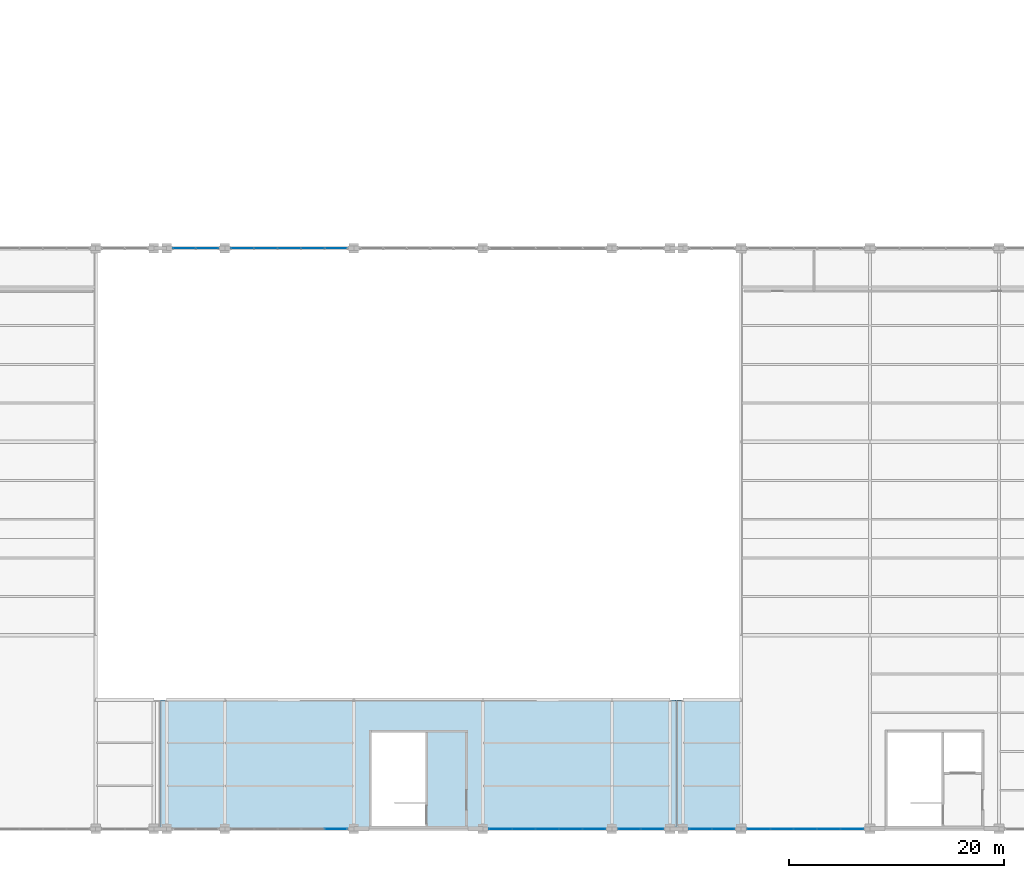
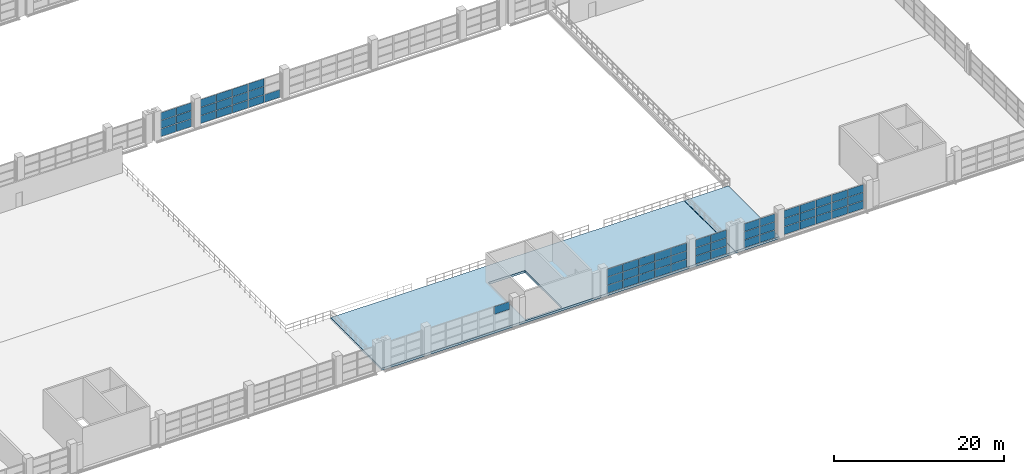
# One storey, part 130 of 158: 62 plates, 2 slabs, 7 elements without a shape of their own.
"""IFC4 building model written with IfcOpenShell, lengths in metres."""

from ifc_helpers import new_model, si_unit, direction, frame, origin, origin_2d, place, context, subcontext, project, spatial, polyline, rectangle, outline, extrude, material, layer, layer_set, type_object, element, aggregate, save


model = new_model("IFC4")

# Units and contexts
model_context = context("Model", 3, precision=1e-05, world=origin(), true_north=direction((0.0, 1.0)))
body_context = subcontext(model_context, "Body", "Model", "MODEL_VIEW")
ifc_project = project(units=[si_unit("LENGTHUNIT", "METRE"), si_unit("AREAUNIT", "SQUARE_METRE"), si_unit("VOLUMEUNIT", "CUBIC_METRE"), si_unit("PLANEANGLEUNIT", "RADIAN"), si_unit("MASSUNIT", "GRAM", prefix="KILO")], contexts=[model_context])

# Site, building, storey
site_placement = place(None, origin())
site = spatial("IfcSite", under=ifc_project, at=site_placement, CompositionType="ELEMENT")
building_placement = place(site_placement, origin())
building = spatial("IfcBuilding", under=site, at=building_placement, Name="Zilviju Railside Exhibition Hall", CompositionType="ELEMENT")
storey_placement = place(building_placement, frame((0.0, 0.0, 4.199951171875)))
storey = spatial("IfcBuildingStorey", under=building, at=storey_placement, Name="L02", CompositionType="ELEMENT", Elevation=4.199951171875)

# Curtain wall, plates
ifc_material_1 = material(Name="Thermally broken aluminium-steel triple-glazed curtain wall", Category="steel")
ifc_layer_1 = layer(ifc_material_1, 0.179931640625)
ifc_layer_set_1 = layer_set([ifc_layer_1], Name="Thermally broken aluminium-steel triple-glazed curtain wall")
curtain_wall_type_1 = type_object("IfcCurtainWallType", Name="CW-BAY-15", PredefinedType="USERDEFINED", material=ifc_layer_set_1)
curtain_wall_1_placement = place(storey_placement, origin())
curtain_wall_1 = element("IfcCurtainWall", 1, at=curtain_wall_1_placement, inside=storey, type_object=curtain_wall_type_1, Name="South Hall Facade Curtain Wall L02 (180..192)", ObjectType="GLAZED CURTAIN WALL", PredefinedType="USERDEFINED")
ifc_material_2 = material(Name="Laminated acoustic double-glazed porch unit", Category="glass")
ifc_layer_2 = layer(ifc_material_2, 0.031982421875)
ifc_layer_set_2 = layer_set([ifc_layer_2], Name="Laminated acoustic double-glazed porch unit")
plate_type_1 = type_object("IfcPlateType", Name="CWP-IGU-32", PredefinedType="CURTAIN_PANEL", material=ifc_layer_set_2)
plate_1_placement = place(storey_placement, frame((190.344970703125, 0.0, 0.06005859375), z_axis=(0.0, 0.0, 1.0), x_axis=(-1.0, 0.0, 0.0)))
plate_1 = element("IfcPlate", 2, at=plate_1_placement, type_object=plate_type_1, Name="CW-15 panel 1.1", PredefinedType="CURTAIN_PANEL", context=body_context, shape_type="SweptSolid", body=[
    extrude(rectangle(XDim=2.090087890625, YDim=0.031982421875, at=origin_2d()), origin(), (0.0, 0.0, 1.0), 1.096923828125),
])
plate_2_placement = place(storey_placement, frame((190.344970703125, 0.0, 1.217041015625), z_axis=(0.0, 0.0, 1.0), x_axis=(-1.0, 0.0, 0.0)))
plate_2 = element("IfcPlate", 3, at=plate_2_placement, type_object=plate_type_1, Name="CW-15 panel 1.2", PredefinedType="CURTAIN_PANEL", context=body_context, shape_type="SweptSolid", body=[
    extrude(rectangle(XDim=2.090087890625, YDim=0.031982421875, at=origin_2d()), origin(), (0.0, 0.0, 1.0), 1.1259765625),
])
plate_3_placement = place(storey_placement, frame((190.344970703125, 0.0, 2.4033203125), z_axis=(0.0, 0.0, 1.0), x_axis=(-1.0, 0.0, 0.0)))
plate_3 = element("IfcPlate", 4, at=plate_3_placement, type_object=plate_type_1, Name="CW-15 panel 1.3", PredefinedType="CURTAIN_PANEL", context=body_context, shape_type="SweptSolid", body=[
    extrude(rectangle(XDim=2.090087890625, YDim=0.031982421875, at=origin_2d()), origin(), (0.0, 0.0, 1.0), 1.096923828125),
])
plate_4_placement = place(storey_placement, frame((188.179931640625, 0.0, 0.06005859375), z_axis=(0.0, 0.0, 1.0), x_axis=(-1.0, 0.0, 0.0)))
plate_4 = element("IfcPlate", 5, at=plate_4_placement, type_object=plate_type_1, Name="CW-15 panel 2.1", PredefinedType="CURTAIN_PANEL", context=body_context, shape_type="SweptSolid", body=[
    extrude(rectangle(XDim=2.1201171875, YDim=0.031982421875, at=origin_2d()), origin(), (0.0, 0.0, 1.0), 1.096923828125),
])
plate_5_placement = place(storey_placement, frame((188.179931640625, 0.0, 1.217041015625), z_axis=(0.0, 0.0, 1.0), x_axis=(-1.0, 0.0, 0.0)))
plate_5 = element("IfcPlate", 6, at=plate_5_placement, type_object=plate_type_1, Name="CW-15 panel 2.2", PredefinedType="CURTAIN_PANEL", context=body_context, shape_type="SweptSolid", body=[
    extrude(rectangle(XDim=2.1201171875, YDim=0.031982421875, at=origin_2d()), origin(), (0.0, 0.0, 1.0), 1.1259765625),
])
plate_6_placement = place(storey_placement, frame((188.179931640625, 0.0, 2.4033203125), z_axis=(0.0, 0.0, 1.0), x_axis=(-1.0, 0.0, 0.0)))
plate_6 = element("IfcPlate", 7, at=plate_6_placement, type_object=plate_type_1, Name="CW-15 panel 2.3", PredefinedType="CURTAIN_PANEL", context=body_context, shape_type="SweptSolid", body=[
    extrude(rectangle(XDim=2.1201171875, YDim=0.031982421875, at=origin_2d()), origin(), (0.0, 0.0, 1.0), 1.096923828125),
])
plate_7_placement = place(storey_placement, frame((186.0, 0.0, 0.06005859375), z_axis=(0.0, 0.0, 1.0), x_axis=(-1.0, 0.0, 0.0)))
plate_7 = element("IfcPlate", 8, at=plate_7_placement, type_object=plate_type_1, Name="CW-15 panel 3.1", PredefinedType="CURTAIN_PANEL", context=body_context, shape_type="SweptSolid", body=[
    extrude(rectangle(XDim=2.1201171875, YDim=0.031982421875, at=origin_2d()), origin(), (0.0, 0.0, 1.0), 1.096923828125),
])
plate_8_placement = place(storey_placement, frame((186.0, 0.0, 1.217041015625), z_axis=(0.0, 0.0, 1.0), x_axis=(-1.0, 0.0, 0.0)))
plate_8 = element("IfcPlate", 9, at=plate_8_placement, type_object=plate_type_1, Name="CW-15 panel 3.2", PredefinedType="CURTAIN_PANEL", context=body_context, shape_type="SweptSolid", body=[
    extrude(rectangle(XDim=2.1201171875, YDim=0.031982421875, at=origin_2d()), origin(), (0.0, 0.0, 1.0), 1.1259765625),
])
plate_9_placement = place(storey_placement, frame((186.0, 0.0, 2.4033203125), z_axis=(0.0, 0.0, 1.0), x_axis=(-1.0, 0.0, 0.0)))
plate_9 = element("IfcPlate", 10, at=plate_9_placement, type_object=plate_type_1, Name="CW-15 panel 3.3", PredefinedType="CURTAIN_PANEL", context=body_context, shape_type="SweptSolid", body=[
    extrude(rectangle(XDim=2.1201171875, YDim=0.031982421875, at=origin_2d()), origin(), (0.0, 0.0, 1.0), 1.096923828125),
])
plate_10_placement = place(storey_placement, frame((183.820068359375, 0.0, 0.06005859375), z_axis=(0.0, 0.0, 1.0), x_axis=(-1.0, 0.0, 0.0)))
plate_10 = element("IfcPlate", 11, at=plate_10_placement, type_object=plate_type_1, Name="CW-15 panel 4.1", PredefinedType="CURTAIN_PANEL", context=body_context, shape_type="SweptSolid", body=[
    extrude(rectangle(XDim=2.1201171875, YDim=0.031982421875, at=origin_2d()), origin(), (0.0, 0.0, 1.0), 1.096923828125),
])
plate_11_placement = place(storey_placement, frame((183.820068359375, 0.0, 1.217041015625), z_axis=(0.0, 0.0, 1.0), x_axis=(-1.0, 0.0, 0.0)))
plate_11 = element("IfcPlate", 12, at=plate_11_placement, type_object=plate_type_1, Name="CW-15 panel 4.2", PredefinedType="CURTAIN_PANEL", context=body_context, shape_type="SweptSolid", body=[
    extrude(rectangle(XDim=2.1201171875, YDim=0.031982421875, at=origin_2d()), origin(), (0.0, 0.0, 1.0), 1.1259765625),
])
plate_12_placement = place(storey_placement, frame((183.820068359375, 0.0, 2.4033203125), z_axis=(0.0, 0.0, 1.0), x_axis=(-1.0, 0.0, 0.0)))
plate_12 = element("IfcPlate", 13, at=plate_12_placement, type_object=plate_type_1, Name="CW-15 panel 4.3", PredefinedType="CURTAIN_PANEL", context=body_context, shape_type="SweptSolid", body=[
    extrude(rectangle(XDim=2.1201171875, YDim=0.031982421875, at=origin_2d()), origin(), (0.0, 0.0, 1.0), 1.096923828125),
])
plate_13_placement = place(storey_placement, frame((181.655029296875, 0.0, 0.06005859375), z_axis=(0.0, 0.0, 1.0), x_axis=(-1.0, 0.0, 0.0)))
plate_13 = element("IfcPlate", 14, at=plate_13_placement, type_object=plate_type_1, Name="CW-15 panel 5.1", PredefinedType="CURTAIN_PANEL", context=body_context, shape_type="SweptSolid", body=[
    extrude(rectangle(XDim=2.090087890625, YDim=0.031982421875, at=origin_2d()), origin(), (0.0, 0.0, 1.0), 1.096923828125),
])
plate_14_placement = place(storey_placement, frame((181.655029296875, 0.0, 1.217041015625), z_axis=(0.0, 0.0, 1.0), x_axis=(-1.0, 0.0, 0.0)))
plate_14 = element("IfcPlate", 15, at=plate_14_placement, type_object=plate_type_1, Name="CW-15 panel 5.2", PredefinedType="CURTAIN_PANEL", context=body_context, shape_type="SweptSolid", body=[
    extrude(rectangle(XDim=2.090087890625, YDim=0.031982421875, at=origin_2d()), origin(), (0.0, 0.0, 1.0), 1.1259765625),
])
plate_15_placement = place(storey_placement, frame((181.655029296875, 0.0, 2.4033203125), z_axis=(0.0, 0.0, 1.0), x_axis=(-1.0, 0.0, 0.0)))
plate_15 = element("IfcPlate", 16, at=plate_15_placement, type_object=plate_type_1, Name="CW-15 panel 5.3", PredefinedType="CURTAIN_PANEL", context=body_context, shape_type="SweptSolid", body=[
    extrude(rectangle(XDim=2.090087890625, YDim=0.031982421875, at=origin_2d()), origin(), (0.0, 0.0, 1.0), 1.096923828125),
])
aggregate(curtain_wall_1, [plate_1, plate_2, plate_3, plate_4, plate_5, plate_6, plate_7, plate_8, plate_9, plate_10, plate_11, plate_12, plate_13, plate_14, plate_15])

ifc_layer_3 = layer(ifc_material_1, 0.179931640625)
ifc_layer_set_3 = layer_set([ifc_layer_3], Name="Thermally broken aluminium-steel triple-glazed curtain wall")
curtain_wall_type_2 = type_object("IfcCurtainWallType", Name="CW-BAY-01", PredefinedType="USERDEFINED", material=ifc_layer_set_3)
curtain_wall_2_placement = place(storey_placement, origin())
curtain_wall_2 = element("IfcCurtainWall", 17, at=curtain_wall_2_placement, inside=storey, type_object=curtain_wall_type_2, Name="South Hall Garden Court Curtain Wall L02 (132..144)", ObjectType="GLAZED CURTAIN WALL", PredefinedType="USERDEFINED")
plate_16_placement = place(storey_placement, frame((133.655029296875, 54.0, 0.06005859375), z_axis=(0.0, 0.0, 1.0), x_axis=(1.0, 0.0, 0.0)))
plate_16 = element("IfcPlate", 18, at=plate_16_placement, type_object=plate_type_1, Name="CW-01 panel 1.1", PredefinedType="CURTAIN_PANEL", context=body_context, shape_type="SweptSolid", body=[
    extrude(rectangle(XDim=2.090087890625, YDim=0.031982421875, at=origin_2d()), origin(), (0.0, 0.0, 1.0), 1.096923828125),
])
plate_17_placement = place(storey_placement, frame((133.655029296875, 54.0, 1.217041015625), z_axis=(0.0, 0.0, 1.0), x_axis=(1.0, 0.0, 0.0)))
plate_17 = element("IfcPlate", 19, at=plate_17_placement, type_object=plate_type_1, Name="CW-01 panel 1.2", PredefinedType="CURTAIN_PANEL", context=body_context, shape_type="SweptSolid", body=[
    extrude(rectangle(XDim=2.090087890625, YDim=0.031982421875, at=origin_2d()), origin(), (0.0, 0.0, 1.0), 1.1259765625),
])
plate_18_placement = place(storey_placement, frame((133.655029296875, 54.0, 2.4033203125), z_axis=(0.0, 0.0, 1.0), x_axis=(1.0, 0.0, 0.0)))
plate_18 = element("IfcPlate", 20, at=plate_18_placement, type_object=plate_type_1, Name="CW-01 panel 1.3", PredefinedType="CURTAIN_PANEL", context=body_context, shape_type="SweptSolid", body=[
    extrude(rectangle(XDim=2.090087890625, YDim=0.031982421875, at=origin_2d()), origin(), (0.0, 0.0, 1.0), 1.096923828125),
])
plate_19_placement = place(storey_placement, frame((135.820068359375, 54.0, 0.06005859375), z_axis=(0.0, 0.0, 1.0), x_axis=(1.0, 0.0, 0.0)))
plate_19 = element("IfcPlate", 21, at=plate_19_placement, type_object=plate_type_1, Name="CW-01 panel 2.1", PredefinedType="CURTAIN_PANEL", context=body_context, shape_type="SweptSolid", body=[
    extrude(rectangle(XDim=2.1201171875, YDim=0.031982421875, at=origin_2d()), origin(), (0.0, 0.0, 1.0), 1.096923828125),
])
plate_20_placement = place(storey_placement, frame((135.820068359375, 54.0, 1.217041015625), z_axis=(0.0, 0.0, 1.0), x_axis=(1.0, 0.0, 0.0)))
plate_20 = element("IfcPlate", 22, at=plate_20_placement, type_object=plate_type_1, Name="CW-01 panel 2.2", PredefinedType="CURTAIN_PANEL", context=body_context, shape_type="SweptSolid", body=[
    extrude(rectangle(XDim=2.1201171875, YDim=0.031982421875, at=origin_2d()), origin(), (0.0, 0.0, 1.0), 1.1259765625),
])
plate_21_placement = place(storey_placement, frame((135.820068359375, 54.0, 2.4033203125), z_axis=(0.0, 0.0, 1.0), x_axis=(1.0, 0.0, 0.0)))
plate_21 = element("IfcPlate", 23, at=plate_21_placement, type_object=plate_type_1, Name="CW-01 panel 2.3", PredefinedType="CURTAIN_PANEL", context=body_context, shape_type="SweptSolid", body=[
    extrude(rectangle(XDim=2.1201171875, YDim=0.031982421875, at=origin_2d()), origin(), (0.0, 0.0, 1.0), 1.096923828125),
])
plate_22_placement = place(storey_placement, frame((138.0, 54.0, 0.06005859375), z_axis=(0.0, 0.0, 1.0), x_axis=(1.0, 0.0, 0.0)))
plate_22 = element("IfcPlate", 24, at=plate_22_placement, type_object=plate_type_1, Name="CW-01 panel 3.1", PredefinedType="CURTAIN_PANEL", context=body_context, shape_type="SweptSolid", body=[
    extrude(rectangle(XDim=2.1201171875, YDim=0.031982421875, at=origin_2d()), origin(), (0.0, 0.0, 1.0), 1.096923828125),
])
plate_23_placement = place(storey_placement, frame((138.0, 54.0, 1.217041015625), z_axis=(0.0, 0.0, 1.0), x_axis=(1.0, 0.0, 0.0)))
plate_23 = element("IfcPlate", 25, at=plate_23_placement, type_object=plate_type_1, Name="CW-01 panel 3.2", PredefinedType="CURTAIN_PANEL", context=body_context, shape_type="SweptSolid", body=[
    extrude(rectangle(XDim=2.1201171875, YDim=0.031982421875, at=origin_2d()), origin(), (0.0, 0.0, 1.0), 1.1259765625),
])
plate_24_placement = place(storey_placement, frame((138.0, 54.0, 2.4033203125), z_axis=(0.0, 0.0, 1.0), x_axis=(1.0, 0.0, 0.0)))
plate_24 = element("IfcPlate", 26, at=plate_24_placement, type_object=plate_type_1, Name="CW-01 panel 3.3", PredefinedType="CURTAIN_PANEL", context=body_context, shape_type="SweptSolid", body=[
    extrude(rectangle(XDim=2.1201171875, YDim=0.031982421875, at=origin_2d()), origin(), (0.0, 0.0, 1.0), 1.096923828125),
])
plate_25_placement = place(storey_placement, frame((140.179931640625, 54.0, 0.06005859375), z_axis=(0.0, 0.0, 1.0), x_axis=(1.0, 0.0, 0.0)))
plate_25 = element("IfcPlate", 27, at=plate_25_placement, type_object=plate_type_1, Name="CW-01 panel 4.1", PredefinedType="CURTAIN_PANEL", context=body_context, shape_type="SweptSolid", body=[
    extrude(rectangle(XDim=2.1201171875, YDim=0.031982421875, at=origin_2d()), origin(), (0.0, 0.0, 1.0), 1.096923828125),
])
plate_26_placement = place(storey_placement, frame((140.179931640625, 54.0, 1.217041015625), z_axis=(0.0, 0.0, 1.0), x_axis=(1.0, 0.0, 0.0)))
plate_26 = element("IfcPlate", 28, at=plate_26_placement, type_object=plate_type_1, Name="CW-01 panel 4.2", PredefinedType="CURTAIN_PANEL", context=body_context, shape_type="SweptSolid", body=[
    extrude(rectangle(XDim=2.1201171875, YDim=0.031982421875, at=origin_2d()), origin(), (0.0, 0.0, 1.0), 1.1259765625),
])
plate_27_placement = place(storey_placement, frame((140.179931640625, 54.0, 2.4033203125), z_axis=(0.0, 0.0, 1.0), x_axis=(1.0, 0.0, 0.0)))
plate_27 = element("IfcPlate", 29, at=plate_27_placement, type_object=plate_type_1, Name="CW-01 panel 4.3", PredefinedType="CURTAIN_PANEL", context=body_context, shape_type="SweptSolid", body=[
    extrude(rectangle(XDim=2.1201171875, YDim=0.031982421875, at=origin_2d()), origin(), (0.0, 0.0, 1.0), 1.096923828125),
])
plate_28_placement = place(storey_placement, frame((142.344970703125, 54.0, 0.06005859375), z_axis=(0.0, 0.0, 1.0), x_axis=(1.0, 0.0, 0.0)))
plate_28 = element("IfcPlate", 30, at=plate_28_placement, type_object=plate_type_1, Name="CW-01 panel 5.1", PredefinedType="CURTAIN_PANEL", context=body_context, shape_type="SweptSolid", body=[
    extrude(rectangle(XDim=2.090087890625, YDim=0.031982421875, at=origin_2d()), origin(), (0.0, 0.0, 1.0), 1.096923828125),
])
aggregate(curtain_wall_2, [plate_16, plate_17, plate_18, plate_19, plate_20, plate_21, plate_22, plate_23, plate_24, plate_25, plate_26, plate_27, plate_28])

ifc_layer_4 = layer(ifc_material_1, 0.179931640625)
ifc_layer_set_4 = layer_set([ifc_layer_4], Name="Thermally broken aluminium-steel triple-glazed curtain wall")
curtain_wall_type_3 = type_object("IfcCurtainWallType", Name="CW-BAY-14", PredefinedType="USERDEFINED", material=ifc_layer_set_4)
curtain_wall_3_placement = place(storey_placement, origin())
curtain_wall_3 = element("IfcCurtainWall", 31, at=curtain_wall_3_placement, inside=storey, type_object=curtain_wall_type_3, Name="South Hall Facade Curtain Wall L02 (175..180)", ObjectType="GLAZED CURTAIN WALL", PredefinedType="USERDEFINED")
ifc_material_3 = material(Name="Triple-glazed solar-control glass unit", Category="glass")
ifc_layer_5 = layer(ifc_material_3, 0.0380859375)
ifc_layer_set_5 = layer_set([ifc_layer_5], Name="Triple-glazed solar-control glass unit")
plate_type_2 = type_object("IfcPlateType", Name="CWP-IGU-38", PredefinedType="CURTAIN_PANEL", material=ifc_layer_set_5)
plate_29_placement = place(storey_placement, frame((178.358642578125, 0.0, 0.06494140625), z_axis=(0.0, 0.0, 1.0), x_axis=(-1.0, 0.0, 0.0)))
plate_29 = element("IfcPlate", 32, at=plate_29_placement, type_object=plate_type_2, Name="CW-14 panel 1.1", PredefinedType="CURTAIN_PANEL", context=body_context, shape_type="SweptSolid", body=[
    extrude(rectangle(XDim=2.052490234375, YDim=0.0380859375, at=origin_2d()), origin(), (0.0, 0.0, 1.0), 1.089599609375),
])
plate_30_placement = place(storey_placement, frame((178.358642578125, 0.0, 1.219482421875), z_axis=(0.0, 0.0, 1.0), x_axis=(-1.0, 0.0, 0.0)))
plate_30 = element("IfcPlate", 33, at=plate_30_placement, type_object=plate_type_2, Name="CW-14 panel 1.2", PredefinedType="CURTAIN_PANEL", context=body_context, shape_type="SweptSolid", body=[
    extrude(rectangle(XDim=2.052490234375, YDim=0.0380859375, at=origin_2d()), origin(), (0.0, 0.0, 1.0), 1.12109375),
])
plate_31_placement = place(storey_placement, frame((178.358642578125, 0.0, 2.4052734375), z_axis=(0.0, 0.0, 1.0), x_axis=(-1.0, 0.0, 0.0)))
plate_31 = element("IfcPlate", 34, at=plate_31_placement, type_object=plate_type_2, Name="CW-14 panel 1.3", PredefinedType="CURTAIN_PANEL", context=body_context, shape_type="SweptSolid", body=[
    extrude(rectangle(XDim=2.052490234375, YDim=0.0380859375, at=origin_2d()), origin(), (0.0, 0.0, 1.0), 1.089599609375),
])
plate_32_placement = place(storey_placement, frame((176.2412109375, 0.0, 0.06494140625), z_axis=(0.0, 0.0, 1.0), x_axis=(-1.0, 0.0, 0.0)))
plate_32 = element("IfcPlate", 35, at=plate_32_placement, type_object=plate_type_2, Name="CW-14 panel 2.1", PredefinedType="CURTAIN_PANEL", context=body_context, shape_type="SweptSolid", body=[
    extrude(rectangle(XDim=2.052490234375, YDim=0.0380859375, at=origin_2d()), origin(), (0.0, 0.0, 1.0), 1.089599609375),
])
plate_33_placement = place(storey_placement, frame((176.2412109375, 0.0, 1.219482421875), z_axis=(0.0, 0.0, 1.0), x_axis=(-1.0, 0.0, 0.0)))
plate_33 = element("IfcPlate", 36, at=plate_33_placement, type_object=plate_type_2, Name="CW-14 panel 2.2", PredefinedType="CURTAIN_PANEL", context=body_context, shape_type="SweptSolid", body=[
    extrude(rectangle(XDim=2.052490234375, YDim=0.0380859375, at=origin_2d()), origin(), (0.0, 0.0, 1.0), 1.12109375),
])
plate_34_placement = place(storey_placement, frame((176.2412109375, 0.0, 2.4052734375), z_axis=(0.0, 0.0, 1.0), x_axis=(-1.0, 0.0, 0.0)))
plate_34 = element("IfcPlate", 37, at=plate_34_placement, type_object=plate_type_2, Name="CW-14 panel 2.3", PredefinedType="CURTAIN_PANEL", context=body_context, shape_type="SweptSolid", body=[
    extrude(rectangle(XDim=2.052490234375, YDim=0.0380859375, at=origin_2d()), origin(), (0.0, 0.0, 1.0), 1.089599609375),
])
aggregate(curtain_wall_3, [plate_29, plate_30, plate_31, plate_32, plate_33, plate_34])

ifc_layer_6 = layer(ifc_material_1, 0.179931640625)
ifc_layer_set_6 = layer_set([ifc_layer_6], Name="Thermally broken aluminium-steel triple-glazed curtain wall")
curtain_wall_type_4 = type_object("IfcCurtainWallType", Name="CW-BAY-20", PredefinedType="USERDEFINED", material=ifc_layer_set_6)
curtain_wall_4_placement = place(storey_placement, origin())
curtain_wall_4 = element("IfcCurtainWall", 38, at=curtain_wall_4_placement, inside=storey, type_object=curtain_wall_type_4, Name="South Hall Garden Court Curtain Wall L02 (127..132)", ObjectType="GLAZED CURTAIN WALL", PredefinedType="USERDEFINED")
plate_35_placement = place(storey_placement, frame((128.2412109375, 54.0, 0.06494140625), z_axis=(0.0, 0.0, 1.0), x_axis=(1.0, 0.0, 0.0)))
plate_35 = element("IfcPlate", 39, at=plate_35_placement, type_object=plate_type_2, Name="CW-20 panel 1.1", PredefinedType="CURTAIN_PANEL", context=body_context, shape_type="SweptSolid", body=[
    extrude(rectangle(XDim=2.052490234375, YDim=0.0380859375, at=origin_2d()), origin(), (0.0, 0.0, 1.0), 1.089599609375),
])
plate_36_placement = place(storey_placement, frame((128.2412109375, 54.0, 1.219482421875), z_axis=(0.0, 0.0, 1.0), x_axis=(1.0, 0.0, 0.0)))
plate_36 = element("IfcPlate", 40, at=plate_36_placement, type_object=plate_type_2, Name="CW-20 panel 1.2", PredefinedType="CURTAIN_PANEL", context=body_context, shape_type="SweptSolid", body=[
    extrude(rectangle(XDim=2.052490234375, YDim=0.0380859375, at=origin_2d()), origin(), (0.0, 0.0, 1.0), 1.12109375),
])
plate_37_placement = place(storey_placement, frame((128.2412109375, 54.0, 2.4052734375), z_axis=(0.0, 0.0, 1.0), x_axis=(1.0, 0.0, 0.0)))
plate_37 = element("IfcPlate", 41, at=plate_37_placement, type_object=plate_type_2, Name="CW-20 panel 1.3", PredefinedType="CURTAIN_PANEL", context=body_context, shape_type="SweptSolid", body=[
    extrude(rectangle(XDim=2.052490234375, YDim=0.0380859375, at=origin_2d()), origin(), (0.0, 0.0, 1.0), 1.089599609375),
])
plate_38_placement = place(storey_placement, frame((130.358642578125, 54.0, 0.06494140625), z_axis=(0.0, 0.0, 1.0), x_axis=(1.0, 0.0, 0.0)))
plate_38 = element("IfcPlate", 42, at=plate_38_placement, type_object=plate_type_2, Name="CW-20 panel 2.1", PredefinedType="CURTAIN_PANEL", context=body_context, shape_type="SweptSolid", body=[
    extrude(rectangle(XDim=2.052490234375, YDim=0.0380859375, at=origin_2d()), origin(), (0.0, 0.0, 1.0), 1.089599609375),
])
plate_39_placement = place(storey_placement, frame((130.358642578125, 54.0, 1.219482421875), z_axis=(0.0, 0.0, 1.0), x_axis=(1.0, 0.0, 0.0)))
plate_39 = element("IfcPlate", 43, at=plate_39_placement, type_object=plate_type_2, Name="CW-20 panel 2.2", PredefinedType="CURTAIN_PANEL", context=body_context, shape_type="SweptSolid", body=[
    extrude(rectangle(XDim=2.052490234375, YDim=0.0380859375, at=origin_2d()), origin(), (0.0, 0.0, 1.0), 1.12109375),
])
plate_40_placement = place(storey_placement, frame((130.358642578125, 54.0, 2.4052734375), z_axis=(0.0, 0.0, 1.0), x_axis=(1.0, 0.0, 0.0)))
plate_40 = element("IfcPlate", 44, at=plate_40_placement, type_object=plate_type_2, Name="CW-20 panel 2.3", PredefinedType="CURTAIN_PANEL", context=body_context, shape_type="SweptSolid", body=[
    extrude(rectangle(XDim=2.052490234375, YDim=0.0380859375, at=origin_2d()), origin(), (0.0, 0.0, 1.0), 1.089599609375),
])
aggregate(curtain_wall_4, [plate_35, plate_36, plate_37, plate_38, plate_39, plate_40])

ifc_layer_7 = layer(ifc_material_1, 0.179931640625)
ifc_layer_set_7 = layer_set([ifc_layer_7], Name="Thermally broken aluminium-steel triple-glazed curtain wall")
curtain_wall_type_5 = type_object("IfcCurtainWallType", Name="CW-BAY-12", PredefinedType="USERDEFINED", material=ifc_layer_set_7)
curtain_wall_5_placement = place(storey_placement, origin())
curtain_wall_5 = element("IfcCurtainWall", 45, at=curtain_wall_5_placement, inside=storey, type_object=curtain_wall_type_5, Name="South Hall Facade Curtain Wall L02 (156..168)", ObjectType="GLAZED CURTAIN WALL", PredefinedType="USERDEFINED")
ifc_material_4 = material(Name="Triple-glazed low-E argon insulating glass unit", Category="glass")
ifc_layer_8 = layer(ifc_material_4, 0.0439453125)
ifc_layer_set_8 = layer_set([ifc_layer_8], Name="Triple-glazed low-E argon insulating glass unit")
plate_type_3 = type_object("IfcPlateType", Name="CWP-IGU-44", PredefinedType="CURTAIN_PANEL", material=ifc_layer_set_8)
plate_41_placement = place(storey_placement, frame((166.34619140625, 0.0, 0.054931640625), z_axis=(0.0, 0.0, 1.0), x_axis=(-1.0, 0.0, 0.0)))
plate_41 = element("IfcPlate", 46, at=plate_41_placement, type_object=plate_type_3, Name="CW-12 panel 1.1", PredefinedType="CURTAIN_PANEL", context=body_context, shape_type="SweptSolid", body=[
    extrude(rectangle(XDim=2.097412109375, YDim=0.0439453125, at=origin_2d()), origin(), (0.0, 0.0, 1.0), 1.1044921875),
])
plate_42_placement = place(storey_placement, frame((166.34619140625, 0.0, 1.21435546875), z_axis=(0.0, 0.0, 1.0), x_axis=(-1.0, 0.0, 0.0)))
plate_42 = element("IfcPlate", 47, at=plate_42_placement, type_object=plate_type_3, Name="CW-12 panel 1.2", PredefinedType="CURTAIN_PANEL", context=body_context, shape_type="SweptSolid", body=[
    extrude(rectangle(XDim=2.097412109375, YDim=0.0439453125, at=origin_2d()), origin(), (0.0, 0.0, 1.0), 1.131103515625),
])
plate_43_placement = place(storey_placement, frame((166.34619140625, 0.0, 2.400634765625), z_axis=(0.0, 0.0, 1.0), x_axis=(-1.0, 0.0, 0.0)))
plate_43 = element("IfcPlate", 48, at=plate_43_placement, type_object=plate_type_3, Name="CW-12 panel 1.3", PredefinedType="CURTAIN_PANEL", context=body_context, shape_type="SweptSolid", body=[
    extrude(rectangle(XDim=2.097412109375, YDim=0.0439453125, at=origin_2d()), origin(), (0.0, 0.0, 1.0), 1.1044921875),
])
plate_44_placement = place(storey_placement, frame((164.179931640625, 0.0, 0.054931640625), z_axis=(0.0, 0.0, 1.0), x_axis=(-1.0, 0.0, 0.0)))
plate_44 = element("IfcPlate", 49, at=plate_44_placement, type_object=plate_type_3, Name="CW-12 panel 2.1", PredefinedType="CURTAIN_PANEL", context=body_context, shape_type="SweptSolid", body=[
    extrude(rectangle(XDim=2.125, YDim=0.0439453125, at=origin_2d()), origin(), (0.0, 0.0, 1.0), 1.1044921875),
])
plate_45_placement = place(storey_placement, frame((164.179931640625, 0.0, 1.21435546875), z_axis=(0.0, 0.0, 1.0), x_axis=(-1.0, 0.0, 0.0)))
plate_45 = element("IfcPlate", 50, at=plate_45_placement, type_object=plate_type_3, Name="CW-12 panel 2.2", PredefinedType="CURTAIN_PANEL", context=body_context, shape_type="SweptSolid", body=[
    extrude(rectangle(XDim=2.125, YDim=0.0439453125, at=origin_2d()), origin(), (0.0, 0.0, 1.0), 1.131103515625),
])
plate_46_placement = place(storey_placement, frame((164.179931640625, 0.0, 2.400634765625), z_axis=(0.0, 0.0, 1.0), x_axis=(-1.0, 0.0, 0.0)))
plate_46 = element("IfcPlate", 51, at=plate_46_placement, type_object=plate_type_3, Name="CW-12 panel 2.3", PredefinedType="CURTAIN_PANEL", context=body_context, shape_type="SweptSolid", body=[
    extrude(rectangle(XDim=2.125, YDim=0.0439453125, at=origin_2d()), origin(), (0.0, 0.0, 1.0), 1.1044921875),
])
plate_47_placement = place(storey_placement, frame((162.0, 0.0, 0.054931640625), z_axis=(0.0, 0.0, 1.0), x_axis=(-1.0, 0.0, 0.0)))
plate_47 = element("IfcPlate", 52, at=plate_47_placement, type_object=plate_type_3, Name="CW-12 panel 3.1", PredefinedType="CURTAIN_PANEL", context=body_context, shape_type="SweptSolid", body=[
    extrude(rectangle(XDim=2.125, YDim=0.0439453125, at=origin_2d()), origin(), (0.0, 0.0, 1.0), 1.1044921875),
])
plate_48_placement = place(storey_placement, frame((162.0, 0.0, 1.21435546875), z_axis=(0.0, 0.0, 1.0), x_axis=(-1.0, 0.0, 0.0)))
plate_48 = element("IfcPlate", 53, at=plate_48_placement, type_object=plate_type_3, Name="CW-12 panel 3.2", PredefinedType="CURTAIN_PANEL", context=body_context, shape_type="SweptSolid", body=[
    extrude(rectangle(XDim=2.125, YDim=0.0439453125, at=origin_2d()), origin(), (0.0, 0.0, 1.0), 1.131103515625),
])
plate_49_placement = place(storey_placement, frame((162.0, 0.0, 2.400634765625), z_axis=(0.0, 0.0, 1.0), x_axis=(-1.0, 0.0, 0.0)))
plate_49 = element("IfcPlate", 54, at=plate_49_placement, type_object=plate_type_3, Name="CW-12 panel 3.3", PredefinedType="CURTAIN_PANEL", context=body_context, shape_type="SweptSolid", body=[
    extrude(rectangle(XDim=2.125, YDim=0.0439453125, at=origin_2d()), origin(), (0.0, 0.0, 1.0), 1.1044921875),
])
plate_50_placement = place(storey_placement, frame((159.820068359375, 0.0, 0.054931640625), z_axis=(0.0, 0.0, 1.0), x_axis=(-1.0, 0.0, 0.0)))
plate_50 = element("IfcPlate", 55, at=plate_50_placement, type_object=plate_type_3, Name="CW-12 panel 4.1", PredefinedType="CURTAIN_PANEL", context=body_context, shape_type="SweptSolid", body=[
    extrude(rectangle(XDim=2.125, YDim=0.0439453125, at=origin_2d()), origin(), (0.0, 0.0, 1.0), 1.1044921875),
])
plate_51_placement = place(storey_placement, frame((159.820068359375, 0.0, 1.21435546875), z_axis=(0.0, 0.0, 1.0), x_axis=(-1.0, 0.0, 0.0)))
plate_51 = element("IfcPlate", 56, at=plate_51_placement, type_object=plate_type_3, Name="CW-12 panel 4.2", PredefinedType="CURTAIN_PANEL", context=body_context, shape_type="SweptSolid", body=[
    extrude(rectangle(XDim=2.125, YDim=0.0439453125, at=origin_2d()), origin(), (0.0, 0.0, 1.0), 1.131103515625),
])
plate_52_placement = place(storey_placement, frame((159.820068359375, 0.0, 2.400634765625), z_axis=(0.0, 0.0, 1.0), x_axis=(-1.0, 0.0, 0.0)))
plate_52 = element("IfcPlate", 57, at=plate_52_placement, type_object=plate_type_3, Name="CW-12 panel 4.3", PredefinedType="CURTAIN_PANEL", context=body_context, shape_type="SweptSolid", body=[
    extrude(rectangle(XDim=2.125, YDim=0.0439453125, at=origin_2d()), origin(), (0.0, 0.0, 1.0), 1.1044921875),
])
plate_53_placement = place(storey_placement, frame((157.65380859375, 0.0, 0.054931640625), z_axis=(0.0, 0.0, 1.0), x_axis=(-1.0, 0.0, 0.0)))
plate_53 = element("IfcPlate", 58, at=plate_53_placement, type_object=plate_type_3, Name="CW-12 panel 5.1", PredefinedType="CURTAIN_PANEL", context=body_context, shape_type="SweptSolid", body=[
    extrude(rectangle(XDim=2.097412109375, YDim=0.0439453125, at=origin_2d()), origin(), (0.0, 0.0, 1.0), 1.1044921875),
])
plate_54_placement = place(storey_placement, frame((157.65380859375, 0.0, 1.21435546875), z_axis=(0.0, 0.0, 1.0), x_axis=(-1.0, 0.0, 0.0)))
plate_54 = element("IfcPlate", 59, at=plate_54_placement, type_object=plate_type_3, Name="CW-12 panel 5.2", PredefinedType="CURTAIN_PANEL", context=body_context, shape_type="SweptSolid", body=[
    extrude(rectangle(XDim=2.097412109375, YDim=0.0439453125, at=origin_2d()), origin(), (0.0, 0.0, 1.0), 1.131103515625),
])
plate_55_placement = place(storey_placement, frame((157.65380859375, 0.0, 2.400634765625), z_axis=(0.0, 0.0, 1.0), x_axis=(-1.0, 0.0, 0.0)))
plate_55 = element("IfcPlate", 60, at=plate_55_placement, type_object=plate_type_3, Name="CW-12 panel 5.3", PredefinedType="CURTAIN_PANEL", context=body_context, shape_type="SweptSolid", body=[
    extrude(rectangle(XDim=2.097412109375, YDim=0.0439453125, at=origin_2d()), origin(), (0.0, 0.0, 1.0), 1.1044921875),
])
aggregate(curtain_wall_5, [plate_41, plate_42, plate_43, plate_44, plate_45, plate_46, plate_47, plate_48, plate_49, plate_50, plate_51, plate_52, plate_53, plate_54, plate_55])

ifc_layer_9 = layer(ifc_material_1, 0.179931640625)
ifc_layer_set_9 = layer_set([ifc_layer_9], Name="Thermally broken aluminium-steel triple-glazed curtain wall")
curtain_wall_type_6 = type_object("IfcCurtainWallType", Name="CW-BAY-13", PredefinedType="USERDEFINED", material=ifc_layer_set_9)
curtain_wall_6_placement = place(storey_placement, origin())
curtain_wall_6 = element("IfcCurtainWall", 61, at=curtain_wall_6_placement, inside=storey, type_object=curtain_wall_type_6, Name="South Hall Facade Curtain Wall L02 (168..173)", ObjectType="GLAZED CURTAIN WALL", PredefinedType="USERDEFINED")
plate_56_placement = place(storey_placement, frame((171.757568359375, 0.0, 0.070068359375), z_axis=(0.0, 0.0, 1.0), x_axis=(-1.0, 0.0, 0.0)))
plate_56 = element("IfcPlate", 62, at=plate_56_placement, type_object=plate_type_3, Name="CW-13 panel 1.1", PredefinedType="CURTAIN_PANEL", context=body_context, shape_type="SweptSolid", body=[
    extrude(rectangle(XDim=2.044921875, YDim=0.0439453125, at=origin_2d()), origin(), (0.0, 0.0, 1.0), 1.08203125),
])
plate_57_placement = place(storey_placement, frame((171.757568359375, 0.0, 1.22216796875), z_axis=(0.0, 0.0, 1.0), x_axis=(-1.0, 0.0, 0.0)))
plate_57 = element("IfcPlate", 63, at=plate_57_placement, type_object=plate_type_3, Name="CW-13 panel 1.2", PredefinedType="CURTAIN_PANEL", context=body_context, shape_type="SweptSolid", body=[
    extrude(rectangle(XDim=2.044921875, YDim=0.0439453125, at=origin_2d()), origin(), (0.0, 0.0, 1.0), 1.115966796875),
])
plate_58_placement = place(storey_placement, frame((171.757568359375, 0.0, 2.407958984375), z_axis=(0.0, 0.0, 1.0), x_axis=(-1.0, 0.0, 0.0)))
plate_58 = element("IfcPlate", 64, at=plate_58_placement, type_object=plate_type_3, Name="CW-13 panel 1.3", PredefinedType="CURTAIN_PANEL", context=body_context, shape_type="SweptSolid", body=[
    extrude(rectangle(XDim=2.044921875, YDim=0.0439453125, at=origin_2d()), origin(), (0.0, 0.0, 1.0), 1.08203125),
])
plate_59_placement = place(storey_placement, frame((169.642578125, 0.0, 0.070068359375), z_axis=(0.0, 0.0, 1.0), x_axis=(-1.0, 0.0, 0.0)))
plate_59 = element("IfcPlate", 65, at=plate_59_placement, type_object=plate_type_3, Name="CW-13 panel 2.1", PredefinedType="CURTAIN_PANEL", context=body_context, shape_type="SweptSolid", body=[
    extrude(rectangle(XDim=2.044921875, YDim=0.0439453125, at=origin_2d()), origin(), (0.0, 0.0, 1.0), 1.08203125),
])
plate_60_placement = place(storey_placement, frame((169.642578125, 0.0, 1.22216796875), z_axis=(0.0, 0.0, 1.0), x_axis=(-1.0, 0.0, 0.0)))
plate_60 = element("IfcPlate", 66, at=plate_60_placement, type_object=plate_type_3, Name="CW-13 panel 2.2", PredefinedType="CURTAIN_PANEL", context=body_context, shape_type="SweptSolid", body=[
    extrude(rectangle(XDim=2.044921875, YDim=0.0439453125, at=origin_2d()), origin(), (0.0, 0.0, 1.0), 1.115966796875),
])
plate_61_placement = place(storey_placement, frame((169.642578125, 0.0, 2.407958984375), z_axis=(0.0, 0.0, 1.0), x_axis=(-1.0, 0.0, 0.0)))
plate_61 = element("IfcPlate", 67, at=plate_61_placement, type_object=plate_type_3, Name="CW-13 panel 2.3", PredefinedType="CURTAIN_PANEL", context=body_context, shape_type="SweptSolid", body=[
    extrude(rectangle(XDim=2.044921875, YDim=0.0439453125, at=origin_2d()), origin(), (0.0, 0.0, 1.0), 1.08203125),
])
aggregate(curtain_wall_6, [plate_56, plate_57, plate_58, plate_59, plate_60, plate_61])

# Curtain wall, plate
ifc_layer_10 = layer(ifc_material_1, 0.179931640625)
ifc_layer_set_10 = layer_set([ifc_layer_10], Name="Thermally broken aluminium-steel triple-glazed curtain wall")
curtain_wall_type_7 = type_object("IfcCurtainWallType", Name="CW-BAY-11", PredefinedType="USERDEFINED", material=ifc_layer_set_10)
curtain_wall_7_placement = place(storey_placement, origin())
curtain_wall_7 = element("IfcCurtainWall", 68, at=curtain_wall_7_placement, inside=storey, type_object=curtain_wall_type_7, Name="South Hall Facade Curtain Wall L02 (132..144)", ObjectType="GLAZED CURTAIN WALL", PredefinedType="USERDEFINED")
ifc_material_5 = material(Name="Insulated emerald ceramic-frit spandrel panel", Category="glass")
ifc_layer_11 = layer(ifc_material_5, 0.06396484375)
ifc_layer_set_11 = layer_set([ifc_layer_11], Name="Insulated emerald ceramic-frit spandrel panel")
plate_type_4 = type_object("IfcPlateType", Name="CWP-SPD-64", PredefinedType="CURTAIN_PANEL", material=ifc_layer_set_11)
plate_62_placement = place(storey_placement, frame((142.34130859375, 0.0, 2.41064453125), z_axis=(0.0, 0.0, 1.0), x_axis=(-1.0, 0.0, 0.0)))
plate_62 = element("IfcPlate", 69, at=plate_62_placement, type_object=plate_type_4, Name="CW-11 panel 1.3", PredefinedType="CURTAIN_PANEL", context=body_context, shape_type="SweptSolid", body=[
    extrude(rectangle(XDim=2.0673828125, YDim=0.06396484375, at=origin_2d()), origin(), (0.0, 0.0, 1.0), 1.074462890625),
])
aggregate(curtain_wall_7, [plate_62])

# Slabs
ifc_material_6 = material(Name="Concrete C35/45", Category="concrete")
ifc_layer_12 = layer(ifc_material_6, 0.330078125)
ifc_layer_set_12 = layer_set([ifc_layer_12], Name="Concrete C35/45")
slab_type = type_object("IfcSlabType", Name="SL-FLR-330", PredefinedType="FLOOR", material=ifc_layer_set_12)
slab_1_placement = place(storey_placement, frame((0.0, 0.0, -0.329833984375)))
element("IfcSlab", 70, at=slab_1_placement, inside=storey, type_object=slab_type, Name="South Hall L02 South Walkway Mid", PredefinedType="FLOOR", context=body_context, shape_type="SweptSolid", body=[
    extrude(outline(polyline([(126.030029296875, 0.0), (173.969970703125, 0.0), (173.969970703125, 12.0), (126.030029296875, 12.0), (126.030029296875, 0.0)]), holes=[polyline([(145.64990234375, 0.25), (150.64990234375, 0.25), (150.64990234375, 8.949951171875), (145.64990234375, 8.949951171875), (145.64990234375, 0.25)])]), origin(), (0.0, 0.0, 1.0), 0.329833984375),
])
slab_2_placement = place(storey_placement, frame((0.0, 0.0, -0.329833984375)))
element("IfcSlab", 71, at=slab_2_placement, inside=storey, type_object=slab_type, Name="South Hall L02 South Walkway East", PredefinedType="FLOOR", context=body_context, shape_type="SweptSolid", body=[
    extrude(outline(polyline([(174.030029296875, 0.0), (180.0, 0.0), (180.0, 12.0), (174.030029296875, 12.0), (174.030029296875, 0.0)])), origin(), (0.0, 0.0, 1.0), 0.329833984375),
])

save(model, "model.ifc")
